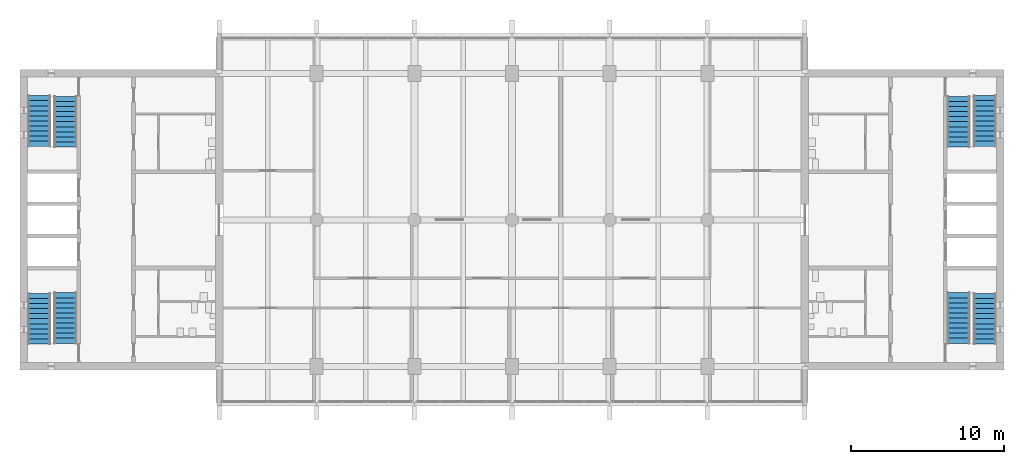
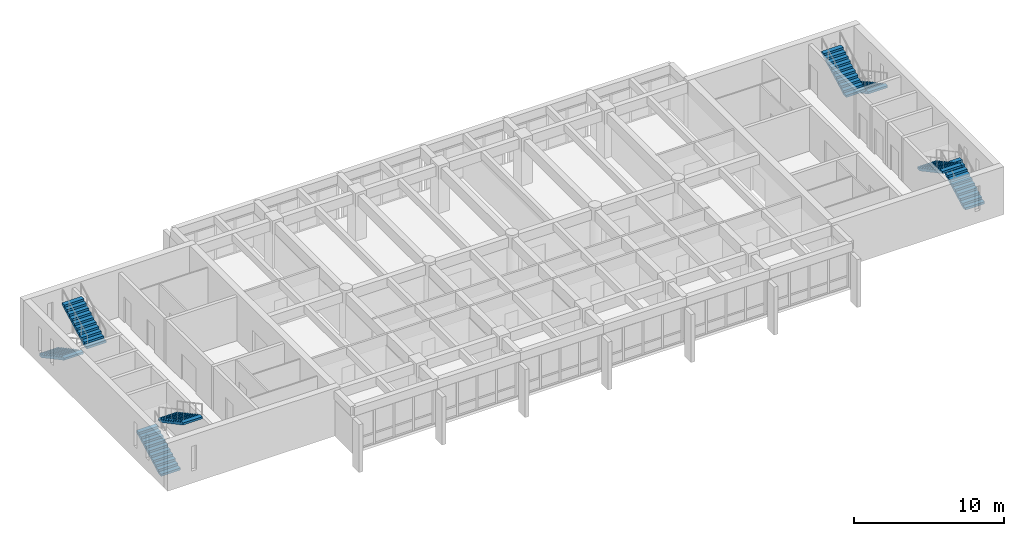
# One storey, part 13 of 15: 8 stair flights, 4 elements without a shape of their own.
"""IFC4 building model written with IfcOpenShell, lengths in metres."""

import ifcopenshell
import ifcopenshell.guid

model = None  # the IFC model being written
_history = None  # IfcOwnerHistory: only IFC2X3 demands one
_inside = {}  # id of a spatial element -> (the spatial element, [elements in it])
_under = {}  # id of a project, library or spatial element -> (it, [spatial elements below it])
_declared = {}  # id of a project -> (the project, [libraries it declares])
_typed = {}  # id of a type object -> (the type object, [elements of that type])
_made_of = {}  # id of a material, layer set ... -> (it, [elements and type objects made of it])


def new_model(schema):
    """Start an empty IFC model of exactly this schema.

    Asked for "IFC4X3", IfcOpenShell would pick the latest addendum, in which some entities
    have other attributes; the version numbers below select the first issue.
    IFC2X3 requires an IfcOwnerHistory on every rooted entity: one is made here for all.
    """
    global model, _history
    if schema == "IFC4X3":
        model = ifcopenshell.file(schema_version=(4, 3, 0, 0))
    else:
        model = ifcopenshell.file(schema=schema)
    _inside.clear()
    _under.clear()
    _declared.clear()
    _typed.clear()
    _made_of.clear()
    _history = None
    if model.schema == "IFC2X3":
        org = make("IfcOrganization", Name="unknown")
        user = make(
            "IfcPersonAndOrganization",
            ThePerson=make("IfcPerson", FamilyName="unknown"),
            TheOrganization=org,
        )
        app = make(
            "IfcApplication",
            ApplicationDeveloper=org,
            Version="unknown",
            ApplicationFullName="unknown",
            ApplicationIdentifier="unknown",
        )
        _history = make(
            "IfcOwnerHistory",
            OwningUser=user,
            OwningApplication=app,
            ChangeAction="ADDED",
            CreationDate=0,
        )
    return model


def make(cls, **values):
    """One entity of the class cls with the attributes given. An attribute that is None is left unset."""
    return model.create_entity(
        cls, **{name: value for name, value in values.items() if value is not None}
    )


def rooted(cls, **values):
    """An entity with a GlobalId (a new one), such as an element, a storey or a relation."""
    return make(cls, GlobalId=ifcopenshell.guid.new(), OwnerHistory=_history, **values)


def si_unit(unit_type, name, prefix=None):
    """IfcSIUnit, for example si_unit("LENGTHUNIT", "METRE", prefix="MILLI")."""
    return make("IfcSIUnit", UnitType=unit_type, Prefix=prefix, Name=name)


def assignment(units):
    """IfcUnitAssignment: the units of a project."""
    return None if units is None else make("IfcUnitAssignment", Units=units)


def point(xyz):
    """IfcCartesianPoint."""
    return None if xyz is None else make("IfcCartesianPoint", Coordinates=xyz)


def direction(xyz):
    """IfcDirection."""
    return None if xyz is None else make("IfcDirection", DirectionRatios=xyz)


def frame(location, z_axis=None, x_axis=None):
    """IfcAxis2Placement3D, a coordinate frame: its origin and axes. An axis left out is left unset."""
    return make(
        "IfcAxis2Placement3D",
        Location=point(location),
        Axis=direction(z_axis),
        RefDirection=direction(x_axis),
    )


def origin():
    """The frame at (0, 0, 0) with its axes left unset."""
    return frame((0.0, 0.0, 0.0))


def place(relative_to, where):
    """IfcLocalPlacement: puts the frame where relative to a parent placement (None: the world)."""
    return make(
        "IfcLocalPlacement", PlacementRelTo=relative_to, RelativePlacement=where
    )


def context(
    kind, dimensions, precision=None, world=None, true_north=None, identifier=None
):
    """IfcGeometricRepresentationContext, for example the 3D "Model" context."""
    return make(
        "IfcGeometricRepresentationContext",
        ContextIdentifier=identifier,
        ContextType=kind,
        CoordinateSpaceDimension=dimensions,
        Precision=precision,
        WorldCoordinateSystem=world,
        TrueNorth=true_north,
    )


def subcontext(parent, identifier, kind, view, scale=None):
    """IfcGeometricRepresentationSubContext, for example "Body" below "Model"."""
    return make(
        "IfcGeometricRepresentationSubContext",
        ContextIdentifier=identifier,
        ContextType=kind,
        ParentContext=parent,
        TargetScale=scale,
        TargetView=view,
    )


def project(units=None, contexts=None):
    """IfcProject with its units and contexts."""
    return rooted(
        "IfcProject",
        Name="project",
        RepresentationContexts=contexts,
        UnitsInContext=assignment(units),
    )


def spatial(cls, under=None, at=None, **own):
    """A site, building, storey or space (cls), placed at a placement, below another one or the project."""
    s = rooted(cls, ObjectPlacement=at, **own)
    if under is not None:
        _under.setdefault(under.id(), (under, []))[1].append(s)
    return s


def polyline(points):
    """IfcPolyline through the points."""
    return make("IfcPolyline", Points=[point(p) for p in points])


def outline(outer, holes=None, kind="AREA"):
    """IfcArbitraryClosedProfileDef: a profile drawn as a closed curve; with holes, ...WithVoids."""
    if holes is None:
        return make("IfcArbitraryClosedProfileDef", ProfileType=kind, OuterCurve=outer)
    return make(
        "IfcArbitraryProfileDefWithVoids",
        ProfileType=kind,
        OuterCurve=outer,
        InnerCurves=holes,
    )


def extrude(swept, where, along, depth):
    """IfcExtrudedAreaSolid: the profile swept, set in the frame where, extruded along a direction by depth."""
    return make(
        "IfcExtrudedAreaSolid",
        SweptArea=swept,
        Position=where,
        ExtrudedDirection=direction(along),
        Depth=depth,
    )


def shape(context_of_items, identifier, shape_type, items):
    """IfcShapeRepresentation: the items that make up one representation, for example the "Body"."""
    return make(
        "IfcShapeRepresentation",
        ContextOfItems=context_of_items,
        RepresentationIdentifier=identifier,
        RepresentationType=shape_type,
        Items=items,
    )


def material(Name=None, Category=None):
    """IfcMaterial."""
    return make("IfcMaterial", Name=Name, Category=Category)


def made_of(thing, what):
    """Note that an element or type object is made of a material, layer set ...; save() writes the relation."""
    if what is not None:
        _made_of.setdefault(what.id(), (what, []))[1].append(thing)
    return thing


def type_object(cls, material=None, **own):
    """A type object (cls), such as IfcWallType, which elements share."""
    return made_of(rooted(cls, **own), material)


def element(
    cls,
    number,
    at=None,
    inside=None,
    cuts=None,
    type_object=None,
    material=None,
    context=None,
    identifier="Body",
    shape_type=None,
    held_by="IfcProductDefinitionShape",
    body=None,
    shapes=None,
    **own,
):
    """One element of the class cls, such as IfcWall. Its Tag is "e" and its number.

    at: its placement. inside: the storey or other place that contains it. cuts: it is an
    opening in that element (IfcRelVoidsElement). A single representation is given by context,
    identifier, shape_type and body (its items); several are given by shapes. held_by: the class
    of the entity that holds the representations. save() writes the other relations.
    """
    e = rooted(cls, Tag="e%d" % number, ObjectPlacement=at, **own)
    if body is not None:
        shapes = [shape(context, identifier, shape_type, body)]
    if shapes is not None:
        e.Representation = make(held_by, Representations=shapes)
    if inside is not None:
        _inside.setdefault(inside.id(), (inside, []))[1].append(e)
    if cuts is not None:
        rooted(
            "IfcRelVoidsElement", RelatingBuildingElement=cuts, RelatedOpeningElement=e
        )
    if type_object is not None:
        _typed.setdefault(type_object.id(), (type_object, []))[1].append(e)
    return made_of(e, material)


def aggregate(whole, parts):
    """IfcRelAggregates: a whole, such as a stair, and the parts it consists of."""
    return rooted("IfcRelAggregates", RelatingObject=whole, RelatedObjects=parts)


def save(model, path):
    """Write the relations noted so far, then the file.

    IfcRelAggregates (storeys below a building ...), IfcRelContainedInSpatialStructure (elements
    in a storey), IfcRelDefinesByType, IfcRelAssociatesMaterial and IfcRelDeclares: one each for
    every whole, place, type object, material and project.
    """
    for whole, parts in _under.values():
        aggregate(whole, parts)
    for where, things in _inside.values():
        rooted(
            "IfcRelContainedInSpatialStructure",
            RelatedElements=things,
            RelatingStructure=where,
        )
    for kind, things in _typed.values():
        rooted("IfcRelDefinesByType", RelatedObjects=things, RelatingType=kind)
    for what, things in _made_of.values():
        rooted("IfcRelAssociatesMaterial", RelatedObjects=things, RelatingMaterial=what)
    for by, libraries in _declared.values():
        rooted("IfcRelDeclares", RelatingContext=by, RelatedDefinitions=libraries)
    model.write(path)


model = new_model("IFC4")

# Units and contexts
model_context = context("Model", 3, precision=1e-05, world=origin(), true_north=direction((0.0, 1.0)))
body_context = subcontext(model_context, "Body", "Model", "MODEL_VIEW")
ifc_project = project(units=[si_unit("LENGTHUNIT", "METRE"), si_unit("AREAUNIT", "SQUARE_METRE"), si_unit("VOLUMEUNIT", "CUBIC_METRE"), si_unit("PLANEANGLEUNIT", "RADIAN"), si_unit("MASSUNIT", "GRAM", prefix="KILO")], contexts=[model_context])

# Site, building, storey
site_placement = place(None, origin())
site = spatial("IfcSite", under=ifc_project, at=site_placement, CompositionType="ELEMENT")
building_placement = place(site_placement, origin())
building = spatial("IfcBuilding", under=site, at=building_placement, Name="Fogon Plaza Fire Station and Headquarters Tower", CompositionType="ELEMENT")
storey_placement = place(building_placement, frame((0.0, 0.0, 56.10009765625)))
storey = spatial("IfcBuildingStorey", under=building, at=storey_placement, Name="L14", CompositionType="ELEMENT", Elevation=56.10009765625)

# Stair, stair flights
ifc_material_1 = material(Name="Concrete C40", Category="concrete")
stair_type = type_object("IfcStairType", Name="Exit Stair Two Flights", PredefinedType="TWO_STRAIGHT_RUN_STAIR", material=ifc_material_1)
stair_1_placement = place(storey_placement, origin())
stair_1 = element("IfcStair", 1, at=stair_1_placement, inside=storey, type_object=stair_type, Name="Stair ST1", PredefinedType="TWO_STRAIGHT_RUN_STAIR")
ifc_material_2 = material(Name="Concrete C40", Category="concrete")
stair_flight_type = type_object("IfcStairFlightType", Name="Stair Flight 11 Risers", PredefinedType="STRAIGHT", material=ifc_material_2)
stair_flight_1_placement = place(storey_placement, frame((13.800048828125, 35.060791015625, 0.0), z_axis=(0.0, 0.0, 1.0), x_axis=(0.0, 1.0, 0.0)))
stair_flight_1 = element("IfcStairFlight", 2, at=stair_flight_1_placement, type_object=stair_flight_type, Name="ST1 flight F31", NumberOfRisers=11, NumberOfTreads=10, PredefinedType="STRAIGHT", RiserHeight=0.177272727, TreadLength=0.3315, context=body_context, shape_type="SweptSolid", body=[
    extrude(outline(polyline([(0.0, 0.0), (0.0, 0.17724609375), (0.33154296875, 0.17724609375), (0.33154296875, 0.3544921875), (0.6630859375, 0.3544921875), (0.6630859375, 0.53173828125), (0.994384765625, 0.53173828125), (0.994384765625, 0.708984375), (1.325927734375, 0.708984375), (1.325927734375, 0.886474609375), (1.657470703125, 0.886474609375), (1.657470703125, 1.063720703125), (1.989013671875, 1.063720703125), (1.989013671875, 1.240966796875), (2.320556640625, 1.240966796875), (2.320556640625, 1.418212890625), (2.652099609375, 1.418212890625), (2.652099609375, 1.595458984375), (2.9833984375, 1.595458984375), (2.9833984375, 1.772705078125), (3.31494140625, 1.772705078125), (3.31494140625, 1.949951171875), (3.31494140625, 1.602783203125), (0.31787109375, 0.0), (0.0, 0.0)])), frame((0.0, 0.75, 0.0), z_axis=(0.0, -1.0, 0.0), x_axis=(1.0, 0.0, 0.0)), (0.0, 0.0, 1.0), 1.5),
])
stair_flight_2_placement = place(storey_placement, frame((15.52490234375, 38.42431640625, 1.949951171875), z_axis=(0.0, 0.0, 1.0), x_axis=(0.0, -1.0, 0.0)))
stair_flight_2 = element("IfcStairFlight", 3, at=stair_flight_2_placement, type_object=stair_flight_type, Name="ST1 flight F32", NumberOfRisers=11, NumberOfTreads=10, PredefinedType="STRAIGHT", RiserHeight=0.177272727, TreadLength=0.3315, context=body_context, shape_type="SweptSolid", body=[
    extrude(outline(polyline([(0.0, 0.0), (0.0, 0.17724609375), (0.33154296875, 0.17724609375), (0.33154296875, 0.3544921875), (0.6630859375, 0.3544921875), (0.6630859375, 0.53173828125), (0.994384765625, 0.53173828125), (0.994384765625, 0.708984375), (1.325927734375, 0.708984375), (1.325927734375, 0.886474609375), (1.657470703125, 0.886474609375), (1.657470703125, 1.063720703125), (1.989013671875, 1.063720703125), (1.989013671875, 1.240966796875), (2.320556640625, 1.240966796875), (2.320556640625, 1.418212890625), (2.652099609375, 1.418212890625), (2.652099609375, 1.595458984375), (2.9833984375, 1.595458984375), (2.9833984375, 1.772705078125), (3.31494140625, 1.772705078125), (3.31494140625, 1.949951171875), (3.31494140625, 1.602783203125), (0.31787109375, 0.0), (0.0, 0.0)])), frame((0.0, 0.75, 0.0), z_axis=(0.0, -1.0, 0.0), x_axis=(1.0, 0.0, 0.0)), (0.0, 0.0, 1.0), 1.5),
])
aggregate(stair_1, [stair_flight_1, stair_flight_2])

stair_2_placement = place(storey_placement, origin())
stair_2 = element("IfcStair", 4, at=stair_2_placement, inside=storey, type_object=stair_type, Name="Stair ST2", PredefinedType="TWO_STRAIGHT_RUN_STAIR")
stair_flight_3_placement = place(storey_placement, frame((13.800048828125, 51.33935546875, 0.0), z_axis=(0.0, 0.0, 1.0), x_axis=(0.0, -1.0, 0.0)))
stair_flight_3 = element("IfcStairFlight", 5, at=stair_flight_3_placement, type_object=stair_flight_type, Name="ST2 flight F31", NumberOfRisers=11, NumberOfTreads=10, PredefinedType="STRAIGHT", RiserHeight=0.177272727, TreadLength=0.3315, context=body_context, shape_type="SweptSolid", body=[
    extrude(outline(polyline([(0.0, 0.0), (0.0, 0.17724609375), (0.33154296875, 0.17724609375), (0.33154296875, 0.3544921875), (0.6630859375, 0.3544921875), (0.6630859375, 0.53173828125), (0.994384765625, 0.53173828125), (0.994384765625, 0.708984375), (1.325927734375, 0.708984375), (1.325927734375, 0.886474609375), (1.657470703125, 0.886474609375), (1.657470703125, 1.063720703125), (1.989013671875, 1.063720703125), (1.989013671875, 1.240966796875), (2.320556640625, 1.240966796875), (2.320556640625, 1.418212890625), (2.652099609375, 1.418212890625), (2.652099609375, 1.595458984375), (2.9833984375, 1.595458984375), (2.9833984375, 1.772705078125), (3.31494140625, 1.772705078125), (3.31494140625, 1.949951171875), (3.31494140625, 1.602783203125), (0.31787109375, 0.0), (0.0, 0.0)])), frame((0.0, 0.75, 0.0), z_axis=(0.0, -1.0, 0.0), x_axis=(1.0, 0.0, 0.0)), (0.0, 0.0, 1.0), 1.5),
])
stair_flight_4_placement = place(storey_placement, frame((15.52490234375, 47.975830078125, 1.949951171875), z_axis=(0.0, 0.0, 1.0), x_axis=(0.0, 1.0, 0.0)))
stair_flight_4 = element("IfcStairFlight", 6, at=stair_flight_4_placement, type_object=stair_flight_type, Name="ST2 flight F32", NumberOfRisers=11, NumberOfTreads=10, PredefinedType="STRAIGHT", RiserHeight=0.177272727, TreadLength=0.3315, context=body_context, shape_type="SweptSolid", body=[
    extrude(outline(polyline([(0.0, 0.0), (0.0, 0.17724609375), (0.33154296875, 0.17724609375), (0.33154296875, 0.3544921875), (0.6630859375, 0.3544921875), (0.6630859375, 0.53173828125), (0.994384765625, 0.53173828125), (0.994384765625, 0.708984375), (1.325927734375, 0.708984375), (1.325927734375, 0.886474609375), (1.657470703125, 0.886474609375), (1.657470703125, 1.063720703125), (1.989013671875, 1.063720703125), (1.989013671875, 1.240966796875), (2.320556640625, 1.240966796875), (2.320556640625, 1.418212890625), (2.652099609375, 1.418212890625), (2.652099609375, 1.595458984375), (2.9833984375, 1.595458984375), (2.9833984375, 1.772705078125), (3.31494140625, 1.772705078125), (3.31494140625, 1.949951171875), (3.31494140625, 1.602783203125), (0.31787109375, 0.0), (0.0, 0.0)])), frame((0.0, 0.75, 0.0), z_axis=(0.0, -1.0, 0.0), x_axis=(1.0, 0.0, 0.0)), (0.0, 0.0, 1.0), 1.5),
])
aggregate(stair_2, [stair_flight_3, stair_flight_4])

stair_3_placement = place(storey_placement, origin())
stair_3 = element("IfcStair", 7, at=stair_3_placement, inside=storey, type_object=stair_type, Name="Stair ST3", PredefinedType="TWO_STRAIGHT_RUN_STAIR")
stair_flight_5_placement = place(storey_placement, frame((75.800048828125, 35.060791015625, 0.0), z_axis=(0.0, 0.0, 1.0), x_axis=(0.0, 1.0, 0.0)))
stair_flight_5 = element("IfcStairFlight", 8, at=stair_flight_5_placement, type_object=stair_flight_type, Name="ST3 flight F31", NumberOfRisers=11, NumberOfTreads=10, PredefinedType="STRAIGHT", RiserHeight=0.177272727, TreadLength=0.3315, context=body_context, shape_type="SweptSolid", body=[
    extrude(outline(polyline([(0.0, 0.0), (0.0, 0.17724609375), (0.33154296875, 0.17724609375), (0.33154296875, 0.3544921875), (0.6630859375, 0.3544921875), (0.6630859375, 0.53173828125), (0.994384765625, 0.53173828125), (0.994384765625, 0.708984375), (1.325927734375, 0.708984375), (1.325927734375, 0.886474609375), (1.657470703125, 0.886474609375), (1.657470703125, 1.063720703125), (1.989013671875, 1.063720703125), (1.989013671875, 1.240966796875), (2.320556640625, 1.240966796875), (2.320556640625, 1.418212890625), (2.652099609375, 1.418212890625), (2.652099609375, 1.595458984375), (2.9833984375, 1.595458984375), (2.9833984375, 1.772705078125), (3.31494140625, 1.772705078125), (3.31494140625, 1.949951171875), (3.31494140625, 1.602783203125), (0.31787109375, 0.0), (0.0, 0.0)])), frame((0.0, 0.75, 0.0), z_axis=(0.0, -1.0, 0.0), x_axis=(1.0, 0.0, 0.0)), (0.0, 0.0, 1.0), 1.5),
])
stair_flight_6_placement = place(storey_placement, frame((74.074951171875, 38.42431640625, 1.949951171875), z_axis=(0.0, 0.0, 1.0), x_axis=(0.0, -1.0, 0.0)))
stair_flight_6 = element("IfcStairFlight", 9, at=stair_flight_6_placement, type_object=stair_flight_type, Name="ST3 flight F32", NumberOfRisers=11, NumberOfTreads=10, PredefinedType="STRAIGHT", RiserHeight=0.177272727, TreadLength=0.3315, context=body_context, shape_type="SweptSolid", body=[
    extrude(outline(polyline([(0.0, 0.0), (0.0, 0.17724609375), (0.33154296875, 0.17724609375), (0.33154296875, 0.3544921875), (0.6630859375, 0.3544921875), (0.6630859375, 0.53173828125), (0.994384765625, 0.53173828125), (0.994384765625, 0.708984375), (1.325927734375, 0.708984375), (1.325927734375, 0.886474609375), (1.657470703125, 0.886474609375), (1.657470703125, 1.063720703125), (1.989013671875, 1.063720703125), (1.989013671875, 1.240966796875), (2.320556640625, 1.240966796875), (2.320556640625, 1.418212890625), (2.652099609375, 1.418212890625), (2.652099609375, 1.595458984375), (2.9833984375, 1.595458984375), (2.9833984375, 1.772705078125), (3.31494140625, 1.772705078125), (3.31494140625, 1.949951171875), (3.31494140625, 1.602783203125), (0.31787109375, 0.0), (0.0, 0.0)])), frame((0.0, 0.75, 0.0), z_axis=(0.0, -1.0, 0.0), x_axis=(1.0, 0.0, 0.0)), (0.0, 0.0, 1.0), 1.5),
])
aggregate(stair_3, [stair_flight_5, stair_flight_6])

stair_4_placement = place(storey_placement, origin())
stair_4 = element("IfcStair", 10, at=stair_4_placement, inside=storey, type_object=stair_type, Name="Stair ST4", PredefinedType="TWO_STRAIGHT_RUN_STAIR")
stair_flight_7_placement = place(storey_placement, frame((75.800048828125, 51.33935546875, 0.0), z_axis=(0.0, 0.0, 1.0), x_axis=(0.0, -1.0, 0.0)))
stair_flight_7 = element("IfcStairFlight", 11, at=stair_flight_7_placement, type_object=stair_flight_type, Name="ST4 flight F31", NumberOfRisers=11, NumberOfTreads=10, PredefinedType="STRAIGHT", RiserHeight=0.177272727, TreadLength=0.3315, context=body_context, shape_type="SweptSolid", body=[
    extrude(outline(polyline([(0.0, 0.0), (0.0, 0.17724609375), (0.33154296875, 0.17724609375), (0.33154296875, 0.3544921875), (0.6630859375, 0.3544921875), (0.6630859375, 0.53173828125), (0.994384765625, 0.53173828125), (0.994384765625, 0.708984375), (1.325927734375, 0.708984375), (1.325927734375, 0.886474609375), (1.657470703125, 0.886474609375), (1.657470703125, 1.063720703125), (1.989013671875, 1.063720703125), (1.989013671875, 1.240966796875), (2.320556640625, 1.240966796875), (2.320556640625, 1.418212890625), (2.652099609375, 1.418212890625), (2.652099609375, 1.595458984375), (2.9833984375, 1.595458984375), (2.9833984375, 1.772705078125), (3.31494140625, 1.772705078125), (3.31494140625, 1.949951171875), (3.31494140625, 1.602783203125), (0.31787109375, 0.0), (0.0, 0.0)])), frame((0.0, 0.75, 0.0), z_axis=(0.0, -1.0, 0.0), x_axis=(1.0, 0.0, 0.0)), (0.0, 0.0, 1.0), 1.5),
])
stair_flight_8_placement = place(storey_placement, frame((74.074951171875, 47.975830078125, 1.949951171875), z_axis=(0.0, 0.0, 1.0), x_axis=(0.0, 1.0, 0.0)))
stair_flight_8 = element("IfcStairFlight", 12, at=stair_flight_8_placement, type_object=stair_flight_type, Name="ST4 flight F32", NumberOfRisers=11, NumberOfTreads=10, PredefinedType="STRAIGHT", RiserHeight=0.177272727, TreadLength=0.3315, context=body_context, shape_type="SweptSolid", body=[
    extrude(outline(polyline([(0.0, 0.0), (0.0, 0.17724609375), (0.33154296875, 0.17724609375), (0.33154296875, 0.3544921875), (0.6630859375, 0.3544921875), (0.6630859375, 0.53173828125), (0.994384765625, 0.53173828125), (0.994384765625, 0.708984375), (1.325927734375, 0.708984375), (1.325927734375, 0.886474609375), (1.657470703125, 0.886474609375), (1.657470703125, 1.063720703125), (1.989013671875, 1.063720703125), (1.989013671875, 1.240966796875), (2.320556640625, 1.240966796875), (2.320556640625, 1.418212890625), (2.652099609375, 1.418212890625), (2.652099609375, 1.595458984375), (2.9833984375, 1.595458984375), (2.9833984375, 1.772705078125), (3.31494140625, 1.772705078125), (3.31494140625, 1.949951171875), (3.31494140625, 1.602783203125), (0.31787109375, 0.0), (0.0, 0.0)])), frame((0.0, 0.75, 0.0), z_axis=(0.0, -1.0, 0.0), x_axis=(1.0, 0.0, 0.0)), (0.0, 0.0, 1.0), 1.5),
])
aggregate(stair_4, [stair_flight_7, stair_flight_8])

save(model, "model.ifc")
